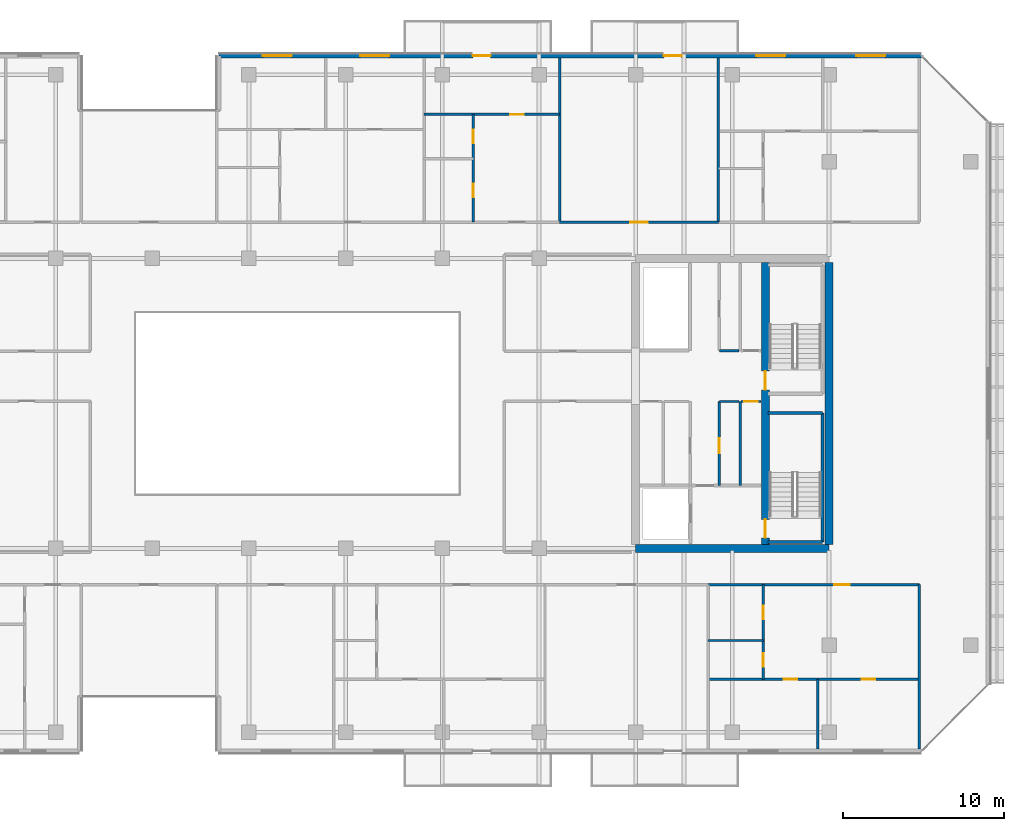
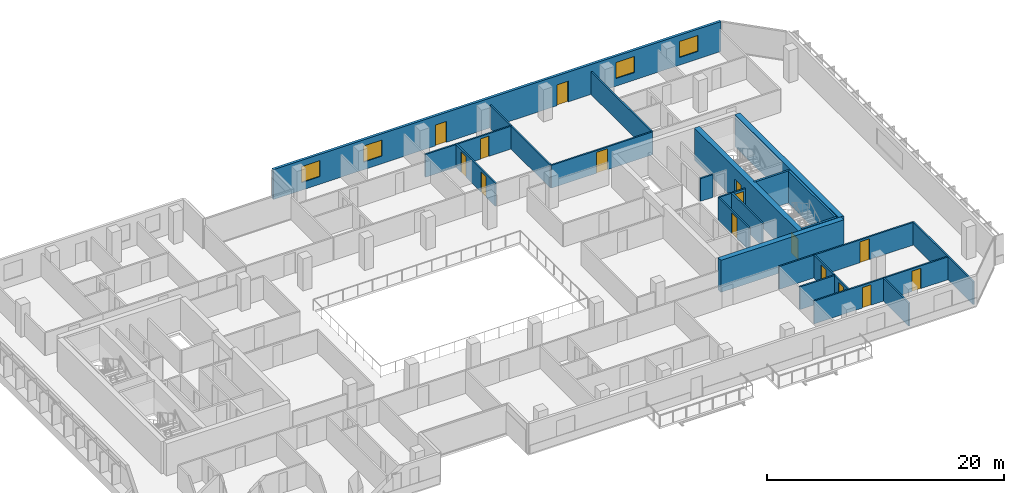
# One storey, part 23 of 29: 23 walls, 15 doors, 4 windows, 19 openings.
"""IFC4 building model written with IfcOpenShell, lengths in metres."""

from ifc_helpers import new_model, si_unit, direction, frame, frame_2d, origin, place, context, subcontext, project, spatial, rectangle, extrude, material, layer, layer_set, type_object, element, fill, save


model = new_model("IFC4")

# Units and contexts
model_context = context("Model", 3, precision=1e-05, world=origin(), true_north=direction((0.0, 1.0)))
body_context = subcontext(model_context, "Body", "Model", "MODEL_VIEW")
ifc_project = project(units=[si_unit("LENGTHUNIT", "METRE"), si_unit("AREAUNIT", "SQUARE_METRE"), si_unit("VOLUMEUNIT", "CUBIC_METRE"), si_unit("PLANEANGLEUNIT", "RADIAN"), si_unit("MASSUNIT", "GRAM", prefix="KILO")], contexts=[model_context])

# Site, building, storey
site_placement = place(None, origin())
site = spatial("IfcSite", under=ifc_project, at=site_placement, CompositionType="ELEMENT")
building_placement = place(site_placement, origin())
building = spatial("IfcBuilding", under=site, at=building_placement, Name="Tanjung Sevakor Pilgrim Tower", CompositionType="ELEMENT")
storey_placement = place(building_placement, frame((0.0, 0.0, 148.5)))
storey = spatial("IfcBuildingStorey", under=building, at=storey_placement, Name="L41", CompositionType="ELEMENT", Elevation=148.5)

# Walls
ifc_material_1 = material(Name="Concrete C60/75", Category="concrete")
ifc_layer_1 = layer(ifc_material_1, 0.5)
ifc_layer_set_1 = layer_set([ifc_layer_1], Name="WALL-CW-500")
wall_type_1 = type_object("IfcWallType", Name="WALL-CW-500", PredefinedType="SHEAR", material=ifc_layer_set_1)
wall_1_placement = place(storey_placement, frame((78.0, 24.60009765625, 0.0), z_axis=(0.0, 0.0, 1.0), x_axis=(1.0, 0.0, 0.0)))
element("IfcWall", 1, at=wall_1_placement, inside=storey, type_object=wall_type_1, Name="L41 E Core South Shear Wall", PredefinedType="SHEAR", context=body_context, shape_type="SweptSolid", body=[
    extrude(rectangle(XDim=12.0, YDim=0.5, at=frame_2d((6.0, 0.0))), origin(), (0.0, 0.0, 1.0), 3.300048828125),
])
wall_2_placement = place(storey_placement, frame((90.0, 24.85009765625, 0.0), z_axis=(0.0, 0.0, 1.0), x_axis=(0.0, 1.0, 0.0)))
element("IfcWall", 2, at=wall_2_placement, inside=storey, type_object=wall_type_1, Name="L41 E Core Outer Shear Wall", PredefinedType="SHEAR", context=body_context, shape_type="SweptSolid", body=[
    extrude(rectangle(XDim=17.5, YDim=0.5, at=frame_2d((8.75, 0.0))), origin(), (0.0, 0.0, 1.0), 3.300048828125),
])

# Wall, openings, doors
wall_3_placement = place(storey_placement, frame((86.050048828125, 24.85009765625, 0.0), z_axis=(0.0, 0.0, 1.0), x_axis=(0.0, 1.0, 0.0)))
wall_3 = element("IfcWall", 3, at=wall_3_placement, inside=storey, type_object=wall_type_1, Name="L41 E Core Stair Spine Wall", PredefinedType="SHEAR", context=body_context, shape_type="SweptSolid", body=[
    extrude(rectangle(XDim=17.5, YDim=0.5, at=frame_2d((8.75, 0.0))), origin(), (0.0, 0.0, 1.0), 3.300048828125),
])
opening_1_placement = place(wall_3_placement, frame((0.39990234375, 0.0, 0.0)))
opening_1 = element("IfcOpeningElement", 4, at=opening_1_placement, cuts=wall_3, Name="Opening ID-ST1", PredefinedType="OPENING", context=body_context, shape_type="SweptSolid", body=[
    extrude(rectangle(XDim=1.14990234375, YDim=2.14990234375, at=frame_2d((0.574951171875, 1.074951171875))), frame((0.0, 0.260009765625, 0.0), z_axis=(0.0, -1.0, 0.0), x_axis=(1.0, 0.0, 0.0)), (0.0, 0.0, 1.0), 0.52001953125),
])
opening_2_placement = place(wall_3_placement, frame((9.60009765625, 0.0, 0.0)))
opening_2 = element("IfcOpeningElement", 5, at=opening_2_placement, cuts=wall_3, Name="Opening ID-ST1", PredefinedType="OPENING", context=body_context, shape_type="SweptSolid", body=[
    extrude(rectangle(XDim=1.14990234375, YDim=2.14990234375, at=frame_2d((0.574951171875, 1.074951171875))), frame((0.0, 0.260009765625, 0.0), z_axis=(0.0, -1.0, 0.0), x_axis=(1.0, 0.0, 0.0)), (0.0, 0.0, 1.0), 0.52001953125),
])
ifc_material_2 = material(Name="Fire-Rated Steel S355J2", Category="steel")
door_type_1 = type_object("IfcDoorType", Name="DT-FIRE-1150", OperationType="NOTDEFINED", PredefinedType="DOOR", material=ifc_material_2)
door_1_placement = place(opening_1_placement, origin())
door_1 = element("IfcDoor", 6, at=door_1_placement, inside=storey, type_object=door_type_1, Name="L41 TS-E1 Stair Fire Door", OperationType="SINGLE_SWING_LEFT", OverallHeight=2.14990234375, OverallWidth=1.14990234375, PredefinedType="DOOR", context=body_context, shape_type="SweptSolid", body=[
    extrude(rectangle(XDim=1.14990234375, YDim=2.14990234375, at=frame_2d((0.574951171875, 1.074951171875))), frame((0.0, 0.02490234375, 0.0), z_axis=(0.0, -1.0, 0.0), x_axis=(1.0, 0.0, 0.0)), (0.0, 0.0, 1.0), 0.050048828125),
])
fill(opening_1, door_1)
door_2_placement = place(opening_2_placement, origin())
door_2 = element("IfcDoor", 7, at=door_2_placement, inside=storey, type_object=door_type_1, Name="L41 TS-E2 Stair Fire Door", OperationType="SINGLE_SWING_RIGHT", OverallHeight=2.14990234375, OverallWidth=1.14990234375, PredefinedType="DOOR", context=body_context, shape_type="SweptSolid", body=[
    extrude(rectangle(XDim=1.14990234375, YDim=2.14990234375, at=frame_2d((0.574951171875, 1.074951171875))), frame((0.0, 0.02490234375, 0.0), z_axis=(0.0, -1.0, 0.0), x_axis=(1.0, 0.0, 0.0)), (0.0, 0.0, 1.0), 0.050048828125),
])
fill(opening_2, door_2)

# Wall
ifc_material_3 = material(Name="Concrete C40/50", Category="concrete")
ifc_layer_2 = layer(ifc_material_3, 0.14990234375)
ifc_layer_set_2 = layer_set([ifc_layer_2], Name="WT-COMP-150")
wall_type_2 = type_object("IfcWallType", Name="WT-COMP-150", PredefinedType="SOLIDWALL", material=ifc_layer_set_2)
wall_4_placement = place(storey_placement, frame((84.47998046875, 28.5, 0.0), z_axis=(0.0, 0.0, 1.0), x_axis=(0.0, 1.0, 0.0)))
element("IfcWall", 8, at=wall_4_placement, inside=storey, type_object=wall_type_2, Name="L41 Partition IW-L41-019", PredefinedType="SOLIDWALL", context=body_context, shape_type="SweptSolid", body=[
    extrude(rectangle(XDim=5.219970703125, YDim=0.14990234375, at=frame_2d((2.60986328125, 0.0))), origin(), (0.0, 0.0, 1.0), 2.35009765625),
])

# Wall, opening, door
wall_5_placement = place(storey_placement, frame((84.550048828125, 33.719970703125, 0.0), z_axis=(0.0, 0.0, 1.0), x_axis=(1.0, 0.0, 0.0)))
wall_5 = element("IfcWall", 9, at=wall_5_placement, inside=storey, type_object=wall_type_2, Name="L41 Partition IW-L41-020", PredefinedType="SOLIDWALL", context=body_context, shape_type="SweptSolid", body=[
    extrude(rectangle(XDim=1.22998046875, YDim=0.14990234375, at=frame_2d((0.614990234375, 0.0))), origin(), (0.0, 0.0, 1.0), 2.35009765625),
])
opening_3_placement = place(wall_5_placement, frame((0.179931640625, 0.0, 0.0)))
opening_3 = element("IfcOpeningElement", 10, at=opening_3_placement, cuts=wall_5, Name="Opening ID-FD3", PredefinedType="OPENING", context=body_context, shape_type="SweptSolid", body=[
    extrude(rectangle(XDim=0.85009765625, YDim=2.10009765625, at=frame_2d((0.425048828125, 1.050048828125))), frame((0.0, 0.0849609375, 0.0), z_axis=(0.0, -1.0, 0.0), x_axis=(1.0, 0.0, 0.0)), (0.0, 0.0, 1.0), 0.169921875),
])
ifc_material_4 = material(Name="Fire-Rated Timber", Category="wood")
door_type_2 = type_object("IfcDoorType", Name="DT-FIRE-850", OperationType="NOTDEFINED", PredefinedType="DOOR", material=ifc_material_4)
door_3_placement = place(opening_3_placement, origin())
door_3 = element("IfcDoor", 11, at=door_3_placement, inside=storey, type_object=door_type_2, Name="L41 Cleaner Store Door", OperationType="SINGLE_SWING_RIGHT", OverallHeight=2.10009765625, OverallWidth=0.85009765625, PredefinedType="DOOR", context=body_context, shape_type="SweptSolid", body=[
    extrude(rectangle(XDim=0.85009765625, YDim=2.10009765625, at=frame_2d((0.425048828125, 1.050048828125))), frame((0.0, 0.02490234375, 0.0), z_axis=(0.0, -1.0, 0.0), x_axis=(1.0, 0.0, 0.0)), (0.0, 0.0, 1.0), 0.050048828125),
])
fill(opening_3, door_3)

# Wall
wall_6_placement = place(storey_placement, frame((83.199951171875, 33.719970703125, 0.0), z_axis=(0.0, 0.0, 1.0), x_axis=(1.0, 0.0, 0.0)))
element("IfcWall", 12, at=wall_6_placement, inside=storey, type_object=wall_type_2, Name="L41 Partition IW-L41-021", PredefinedType="SOLIDWALL", context=body_context, shape_type="SweptSolid", body=[
    extrude(rectangle(XDim=1.219970703125, YDim=0.14990234375, at=frame_2d((0.60986328125, 0.0))), origin(), (0.0, 0.0, 1.0), 2.35009765625),
])

# Wall, opening, door
wall_7_placement = place(storey_placement, frame((83.179931640625, 28.5, 0.0), z_axis=(0.0, 0.0, 1.0), x_axis=(0.0, 1.0, 0.0)))
wall_7 = element("IfcWall", 13, at=wall_7_placement, inside=storey, type_object=wall_type_2, Name="L41 Partition IW-L41-022", PredefinedType="SOLIDWALL", context=body_context, shape_type="SweptSolid", body=[
    extrude(rectangle(XDim=5.219970703125, YDim=0.14990234375, at=frame_2d((2.60986328125, 0.0))), origin(), (0.0, 0.0, 1.0), 2.35009765625),
])
opening_4_placement = place(wall_7_placement, frame((2.0, 0.0, 0.0)))
opening_4 = element("IfcOpeningElement", 14, at=opening_4_placement, cuts=wall_7, Name="Opening ID-FD2", PredefinedType="OPENING", context=body_context, shape_type="SweptSolid", body=[
    extrude(rectangle(XDim=0.949951171875, YDim=2.14990234375, at=frame_2d((0.47509765625, 1.074951171875))), frame((0.0, 0.0849609375, 0.0), z_axis=(0.0, -1.0, 0.0), x_axis=(1.0, 0.0, 0.0)), (0.0, 0.0, 1.0), 0.169921875),
])
ifc_material_5 = material(Name="Fire-Rated Timber", Category="wood")
door_type_3 = type_object("IfcDoorType", Name="DT-FIRE-950", OperationType="NOTDEFINED", PredefinedType="DOOR", material=ifc_material_5)
door_4_placement = place(opening_4_placement, origin())
door_4 = element("IfcDoor", 15, at=door_4_placement, inside=storey, type_object=door_type_3, Name="L41 Housekeeping Pantry Door", OperationType="SINGLE_SWING_LEFT", OverallHeight=2.14990234375, OverallWidth=0.949951171875, PredefinedType="DOOR", context=body_context, shape_type="SweptSolid", body=[
    extrude(rectangle(XDim=0.949951171875, YDim=2.14990234375, at=frame_2d((0.47509765625, 1.074951171875))), frame((0.0, 0.02490234375, 0.0), z_axis=(0.0, -1.0, 0.0), x_axis=(1.0, 0.0, 0.0)), (0.0, 0.0, 1.0), 0.050048828125),
])
fill(opening_4, door_4)

# Walls
wall_8_placement = place(storey_placement, frame((83.199951171875, 36.8798828125, 0.0), z_axis=(0.0, 0.0, 1.0), x_axis=(1.0, 0.0, 0.0)))
element("IfcWall", 16, at=wall_8_placement, inside=storey, type_object=wall_type_2, Name="L41 Partition IW-L41-029", PredefinedType="SOLIDWALL", context=body_context, shape_type="SweptSolid", body=[
    extrude(rectangle(XDim=1.219970703125, YDim=0.14990234375, at=frame_2d((0.60986328125, 0.0))), origin(), (0.0, 0.0, 1.0), 2.35009765625),
])
wall_9_placement = place(storey_placement, frame((95.60009765625, 12.14990234375, 0.0), z_axis=(0.0, 0.0, 1.0), x_axis=(0.0, 1.0, 0.0)))
element("IfcWall", 17, at=wall_9_placement, inside=storey, type_object=wall_type_2, Name="L41 Partition IW-L41-063", PredefinedType="SOLIDWALL", context=body_context, shape_type="SweptSolid", body=[
    extrude(rectangle(XDim=10.2001953125, YDim=0.14990234375, at=frame_2d((5.10009765625, 0.0))), origin(), (0.0, 0.0, 1.0), 2.35009765625),
])

# Wall, opening, door
wall_10_placement = place(storey_placement, frame((82.49658203125, 22.35009765625, 0.0), z_axis=(0.0, 0.0, 1.0), x_axis=(1.0, 0.0, 0.0)))
wall_10 = element("IfcWall", 18, at=wall_10_placement, inside=storey, type_object=wall_type_2, Name="L41 Partition IW-L41-078", PredefinedType="SOLIDWALL", context=body_context, shape_type="SweptSolid", body=[
    extrude(rectangle(XDim=13.103515625, YDim=0.14990234375, at=frame_2d((6.5517578125, 0.0))), origin(), (0.0, 0.0, 1.0), 2.35009765625),
])
opening_5_placement = place(wall_10_placement, frame((7.82861328125, 0.0, 0.0)))
opening_5 = element("IfcOpeningElement", 19, at=opening_5_placement, cuts=wall_10, Name="Opening ID-FD2", PredefinedType="OPENING", context=body_context, shape_type="SweptSolid", body=[
    extrude(rectangle(XDim=0.949951171875, YDim=2.14990234375, at=frame_2d((0.47509765625, 1.074951171875))), frame((0.0, 0.0849609375, 0.0), z_axis=(0.0, -1.0, 0.0), x_axis=(1.0, 0.0, 0.0)), (0.0, 0.0, 1.0), 0.169921875),
])
door_5_placement = place(opening_5_placement, origin())
door_5 = element("IfcDoor", 20, at=door_5_placement, inside=storey, type_object=door_type_3, Name="Suite Entrance", OperationType="SINGLE_SWING_RIGHT", OverallHeight=2.14990234375, OverallWidth=0.949951171875, PredefinedType="DOOR", context=body_context, shape_type="SweptSolid", body=[
    extrude(rectangle(XDim=0.949951171875, YDim=2.14990234375, at=frame_2d((0.47509765625, 1.074951171875))), frame((0.0, 0.02490234375, 0.0), z_axis=(0.0, -1.0, 0.0), x_axis=(1.0, 0.0, 0.0)), (0.0, 0.0, 1.0), 0.050048828125),
])
fill(opening_5, door_5)

# Walls
for number, where, z_axis, x_axis, name in (
    (21, (73.2802734375, 44.85009765625, 0.0), (0.0, 0.0, 1.0), (0.0, 1.0, 0.0), "L41 Partition IW-L41-096"),
    (22, (83.1357421875, 44.85009765625, 0.0), (0.0, 0.0, 1.0), (0.0, 1.0, 0.0), "L41 Partition IW-L41-101"),
):
    element("IfcWall", number, at=place(storey_placement, frame(where, z_axis=z_axis, x_axis=x_axis)), inside=storey, type_object=wall_type_2, Name=name, PredefinedType="SOLIDWALL", context=body_context, shape_type="SweptSolid", body=[
        extrude(rectangle(XDim=10.199951171875, YDim=0.14990234375, at=frame_2d((5.10009765625, 0.0))), origin(), (0.0, 0.0, 1.0), 2.35009765625),
    ])

# Wall, opening, door
wall_11_placement = place(storey_placement, frame((73.2802734375, 44.85009765625, 0.0), z_axis=(0.0, 0.0, 1.0), x_axis=(1.0, 0.0, 0.0)))
wall_11 = element("IfcWall", 23, at=wall_11_placement, inside=storey, type_object=wall_type_2, Name="L41 Partition IW-L41-102", PredefinedType="SOLIDWALL", context=body_context, shape_type="SweptSolid", body=[
    extrude(rectangle(XDim=9.85546875, YDim=0.14990234375, at=frame_2d((4.927734375, 0.0))), origin(), (0.0, 0.0, 1.0), 2.35009765625),
])
opening_6_placement = place(wall_11_placement, frame((4.377685546875, 0.0, 0.0)))
opening_6 = element("IfcOpeningElement", 24, at=opening_6_placement, cuts=wall_11, Name="Opening ID-FD0", PredefinedType="OPENING", context=body_context, shape_type="SweptSolid", body=[
    extrude(rectangle(XDim=1.10009765625, YDim=2.14990234375, at=frame_2d((0.550048828125, 1.074951171875))), frame((0.0, 0.0849609375, 0.0), z_axis=(0.0, -1.0, 0.0), x_axis=(1.0, 0.0, 0.0)), (0.0, 0.0, 1.0), 0.169921875),
])
ifc_material_6 = material(Name="Fire-Rated Steel S355J2", Category="steel")
door_type_4 = type_object("IfcDoorType", Name="DT-FIRE-1100", OperationType="NOTDEFINED", PredefinedType="DOOR", material=ifc_material_6)
door_6_placement = place(opening_6_placement, origin())
door_6 = element("IfcDoor", 25, at=door_6_placement, inside=storey, type_object=door_type_4, Name="Council Room Door", OperationType="SINGLE_SWING_LEFT", OverallHeight=2.14990234375, OverallWidth=1.10009765625, PredefinedType="DOOR", context=body_context, shape_type="SweptSolid", body=[
    extrude(rectangle(XDim=1.10009765625, YDim=2.14990234375, at=frame_2d((0.550048828125, 1.074951171875))), frame((0.0, 0.02490234375, 0.0), z_axis=(0.0, -1.0, 0.0), x_axis=(1.0, 0.0, 0.0)), (0.0, 0.0, 1.0), 0.050048828125),
])
fill(opening_6, door_6)

# Wall, openings, doors, windows
ifc_material_7 = material(Name="Precast concrete C45/55", Category="concrete")
ifc_layer_3 = layer(ifc_material_7, 0.25)
ifc_layer_set_3 = layer_set([ifc_layer_3], Name="WT-EW-STN3")
wall_type_3 = type_object("IfcWallType", Name="WT-EW-STN3", PredefinedType="SOLIDWALL", material=ifc_layer_set_3)
wall_12_placement = place(storey_placement, frame((95.748291015625, 55.175048828125, 0.0), z_axis=(0.0, 0.0, 1.0), x_axis=(-1.0, 0.0, 0.0)))
wall_12 = element("IfcWall", 26, at=wall_12_placement, inside=storey, type_object=wall_type_3, Name="L41 MAIN Exterior Wall 9", PredefinedType="SOLIDWALL", context=body_context, shape_type="SweptSolid", body=[
    extrude(rectangle(XDim=43.623291015625, YDim=0.25, at=frame_2d((21.8115234375, 0.0))), origin(), (0.0, 0.0, 1.0), 3.080078125),
])
opening_7_placement = place(wall_12_placement, frame((26.748291015625, 0.0, 0.0)))
opening_7 = element("IfcOpeningElement", 27, at=opening_7_placement, cuts=wall_12, Name="Opening ED-BAL-1100", PredefinedType="OPENING", context=body_context, shape_type="SweptSolid", body=[
    extrude(rectangle(XDim=1.10009765625, YDim=2.14990234375, at=frame_2d((0.550048828125, 1.074951171875))), frame((0.0, 0.135009765625, 0.0), z_axis=(0.0, -1.0, 0.0), x_axis=(1.0, 0.0, 0.0)), (0.0, 0.0, 1.0), 0.27001953125),
])
opening_8_placement = place(wall_12_placement, frame((14.898193359375, 0.0, 0.0)))
opening_8 = element("IfcOpeningElement", 28, at=opening_8_placement, cuts=wall_12, Name="Opening ED-BAL-1100", PredefinedType="OPENING", context=body_context, shape_type="SweptSolid", body=[
    extrude(rectangle(XDim=1.10009765625, YDim=2.14990234375, at=frame_2d((0.550048828125, 1.074951171875))), frame((0.0, 0.135009765625, 0.0), z_axis=(0.0, -1.0, 0.0), x_axis=(1.0, 0.0, 0.0)), (0.0, 0.0, 1.0), 0.27001953125),
])
opening_9_placement = place(wall_12_placement, frame((39.08203125, 0.0, 0.780029296875)))
opening_9 = element("IfcOpeningElement", 29, at=opening_9_placement, cuts=wall_12, Name="Opening WN-Z3-1660", PredefinedType="OPENING", context=body_context, shape_type="SweptSolid", body=[
    extrude(rectangle(XDim=1.800048828125, YDim=1.659912109375, at=frame_2d((0.89990234375, 0.830078125))), frame((0.0, 0.135009765625, 0.0), z_axis=(0.0, -1.0, 0.0), x_axis=(1.0, 0.0, 0.0)), (0.0, 0.0, 1.0), 0.27001953125),
])
opening_10_placement = place(wall_12_placement, frame((33.045166015625, 0.0, 0.780029296875)))
opening_10 = element("IfcOpeningElement", 30, at=opening_10_placement, cuts=wall_12, Name="Opening WN-Z3-1660", PredefinedType="OPENING", context=body_context, shape_type="SweptSolid", body=[
    extrude(rectangle(XDim=1.800048828125, YDim=1.659912109375, at=frame_2d((0.89990234375, 0.830078125))), frame((0.0, 0.135009765625, 0.0), z_axis=(0.0, -1.0, 0.0), x_axis=(1.0, 0.0, 0.0)), (0.0, 0.0, 1.0), 0.27001953125),
])
opening_11_placement = place(wall_12_placement, frame((8.4619140625, 0.0, 0.780029296875)))
opening_11 = element("IfcOpeningElement", 31, at=opening_11_placement, cuts=wall_12, Name="Opening WN-Z3-1660", PredefinedType="OPENING", context=body_context, shape_type="SweptSolid", body=[
    extrude(rectangle(XDim=1.800048828125, YDim=1.659912109375, at=frame_2d((0.89990234375, 0.830078125))), frame((0.0, 0.135009765625, 0.0), z_axis=(0.0, -1.0, 0.0), x_axis=(1.0, 0.0, 0.0)), (0.0, 0.0, 1.0), 0.27001953125),
])
opening_12_placement = place(wall_12_placement, frame((2.249755859375, 0.0, 0.780029296875)))
opening_12 = element("IfcOpeningElement", 32, at=opening_12_placement, cuts=wall_12, Name="Opening WN-Z3-1660", PredefinedType="OPENING", context=body_context, shape_type="SweptSolid", body=[
    extrude(rectangle(XDim=1.800048828125, YDim=1.659912109375, at=frame_2d((0.89990234375, 0.830078125))), frame((0.0, 0.135009765625, 0.0), z_axis=(0.0, -1.0, 0.0), x_axis=(1.0, 0.0, 0.0)), (0.0, 0.0, 1.0), 0.27001953125),
])
ifc_material_8 = material(Name="Anodised Aluminium and Laminated Glass", Category="aluminium")
door_type_5 = type_object("IfcDoorType", Name="DTYP-ED-BAL-1100", OperationType="NOTDEFINED", PredefinedType="DOOR", material=ifc_material_8)
door_7_placement = place(opening_7_placement, frame((1.10009765625, 0.0, 0.0), z_axis=(0.0, 0.0, 1.0), x_axis=(-1.0, 0.0, 0.0)))
door_7 = element("IfcDoor", 33, at=door_7_placement, inside=storey, type_object=door_type_5, Name="L41 Balcony Door MAIN-N2", OperationType="SINGLE_SWING_LEFT", OverallHeight=2.14990234375, OverallWidth=1.10009765625, PredefinedType="DOOR", context=body_context, shape_type="SweptSolid", body=[
    extrude(rectangle(XDim=1.10009765625, YDim=2.14990234375, at=frame_2d((0.550048828125, 1.074951171875))), frame((0.0, 0.02490234375, 0.0), z_axis=(0.0, -1.0, 0.0), x_axis=(1.0, 0.0, 0.0)), (0.0, 0.0, 1.0), 0.050048828125),
])
fill(opening_7, door_7)
door_8_placement = place(opening_8_placement, frame((1.10009765625, 0.0, 0.0), z_axis=(0.0, 0.0, 1.0), x_axis=(-1.0, 0.0, 0.0)))
door_8 = element("IfcDoor", 34, at=door_8_placement, inside=storey, type_object=door_type_5, Name="L41 Balcony Door MAIN-N3", OperationType="SINGLE_SWING_RIGHT", OverallHeight=2.14990234375, OverallWidth=1.10009765625, PredefinedType="DOOR", context=body_context, shape_type="SweptSolid", body=[
    extrude(rectangle(XDim=1.10009765625, YDim=2.14990234375, at=frame_2d((0.550048828125, 1.074951171875))), frame((0.0, 0.02490234375, 0.0), z_axis=(0.0, -1.0, 0.0), x_axis=(1.0, 0.0, 0.0)), (0.0, 0.0, 1.0), 0.050048828125),
])
fill(opening_8, door_8)
ifc_material_9 = material(Name="Thermally Broken Aluminium and Low-E Glass", Category="aluminium")
window_type = type_object("IfcWindowType", Name="WTYP-WN-Z3-1660", PartitioningType="DOUBLE_PANEL_VERTICAL", PredefinedType="WINDOW", material=ifc_material_9)
window_1_placement = place(opening_9_placement, origin())
window_1 = element("IfcWindow", 35, at=window_1_placement, inside=storey, type_object=window_type, Name="L41 Facade Window 01", OverallHeight=1.659912109375, OverallWidth=1.800048828125, PartitioningType="SINGLE_PANEL", PredefinedType="WINDOW", context=body_context, shape_type="SweptSolid", body=[
    extrude(rectangle(XDim=1.800048828125, YDim=1.659912109375, at=frame_2d((0.89990234375, 0.830078125))), frame((0.0, 0.030029296875, 0.0), z_axis=(0.0, -1.0, 0.0), x_axis=(1.0, 0.0, 0.0)), (0.0, 0.0, 1.0), 0.06005859375),
])
fill(opening_9, window_1)
window_2_placement = place(opening_10_placement, origin())
window_2 = element("IfcWindow", 36, at=window_2_placement, inside=storey, type_object=window_type, Name="L41 Facade Window 02", OverallHeight=1.659912109375, OverallWidth=1.800048828125, PartitioningType="SINGLE_PANEL", PredefinedType="WINDOW", context=body_context, shape_type="SweptSolid", body=[
    extrude(rectangle(XDim=1.800048828125, YDim=1.659912109375, at=frame_2d((0.89990234375, 0.830078125))), frame((0.0, 0.030029296875, 0.0), z_axis=(0.0, -1.0, 0.0), x_axis=(1.0, 0.0, 0.0)), (0.0, 0.0, 1.0), 0.06005859375),
])
fill(opening_10, window_2)
window_3_placement = place(opening_11_placement, origin())
window_3 = element("IfcWindow", 37, at=window_3_placement, inside=storey, type_object=window_type, Name="L41 Facade Window 03", OverallHeight=1.659912109375, OverallWidth=1.800048828125, PartitioningType="SINGLE_PANEL", PredefinedType="WINDOW", context=body_context, shape_type="SweptSolid", body=[
    extrude(rectangle(XDim=1.800048828125, YDim=1.659912109375, at=frame_2d((0.89990234375, 0.830078125))), frame((0.0, 0.030029296875, 0.0), z_axis=(0.0, -1.0, 0.0), x_axis=(1.0, 0.0, 0.0)), (0.0, 0.0, 1.0), 0.06005859375),
])
fill(opening_11, window_3)
window_4_placement = place(opening_12_placement, origin())
window_4 = element("IfcWindow", 38, at=window_4_placement, inside=storey, type_object=window_type, Name="L41 Facade Window 04", OverallHeight=1.659912109375, OverallWidth=1.800048828125, PartitioningType="SINGLE_PANEL", PredefinedType="WINDOW", context=body_context, shape_type="SweptSolid", body=[
    extrude(rectangle(XDim=1.800048828125, YDim=1.659912109375, at=frame_2d((0.89990234375, 0.830078125))), frame((0.0, 0.030029296875, 0.0), z_axis=(0.0, -1.0, 0.0), x_axis=(1.0, 0.0, 0.0)), (0.0, 0.0, 1.0), 0.06005859375),
])
fill(opening_12, window_4)

# Walls
ifc_material_10 = material(Name="Concrete C40/50", Category="concrete")
ifc_layer_4 = layer(ifc_material_10, 0.199951171875)
ifc_layer_set_4 = layer_set([ifc_layer_4], Name="WT-FIRE-200")
wall_type_4 = type_object("IfcWallType", Name="WT-FIRE-200", PredefinedType="SOLIDWALL", material=ifc_layer_set_4)
wall_13_placement = place(storey_placement, frame((86.199951171875, 25.0, 0.0), z_axis=(0.0, 0.0, 1.0), x_axis=(1.0, 0.0, 0.0)))
element("IfcWall", 39, at=wall_13_placement, inside=storey, type_object=wall_type_4, Name="L41 TS-E1 Shaft Wall 1", PredefinedType="SOLIDWALL", context=body_context, shape_type="SweptSolid", body=[
    extrude(rectangle(XDim=3.400146484375, YDim=0.199951171875, at=frame_2d((1.7001953125, 0.0))), origin(), (0.0, 0.0, 1.0), 3.300048828125),
])
wall_14_placement = place(storey_placement, frame((89.60009765625, 25.0, 0.0), z_axis=(0.0, 0.0, 1.0), x_axis=(0.0, 1.0, 0.0)))
element("IfcWall", 40, at=wall_14_placement, inside=storey, type_object=wall_type_4, Name="L41 TS-E1 Shaft Wall 2", PredefinedType="SOLIDWALL", context=body_context, shape_type="SweptSolid", body=[
    extrude(rectangle(XDim=8.0, YDim=0.199951171875, at=frame_2d((4.0, 0.0))), origin(), (0.0, 0.0, 1.0), 3.300048828125),
])
wall_15_placement = place(storey_placement, frame((89.60009765625, 33.0, 0.0), z_axis=(0.0, 0.0, 1.0), x_axis=(-1.0, 0.0, 0.0)))
element("IfcWall", 41, at=wall_15_placement, inside=storey, type_object=wall_type_4, Name="L41 TS-E1 Shaft Wall 3", PredefinedType="SOLIDWALL", context=body_context, shape_type="SweptSolid", body=[
    extrude(rectangle(XDim=3.400146484375, YDim=0.199951171875, at=frame_2d((1.7001953125, 0.0))), origin(), (0.0, 0.0, 1.0), 3.300048828125),
])
ifc_material_11 = material(Name="Gypsum Board Partition", Category="gypsum board")
ifc_layer_5 = layer(ifc_material_11, 0.14990234375)
ifc_layer_set_5 = layer_set([ifc_layer_5], Name="WT-PART-150")
wall_type_5 = type_object("IfcWallType", Name="WT-PART-150", PredefinedType="PARTITIONING", material=ifc_layer_set_5)
wall_16_placement = place(storey_placement, frame((82.49658203125, 18.88623046875, 0.0), z_axis=(0.0, 0.0, 1.0), x_axis=(1.0, 0.0, 0.0)))
element("IfcWall", 42, at=wall_16_placement, inside=storey, type_object=wall_type_5, Name="L41 Partition IW-L41-074", PredefinedType="PARTITIONING", context=body_context, shape_type="SweptSolid", body=[
    extrude(rectangle(XDim=3.42333984375, YDim=0.14990234375, at=frame_2d((1.711669921875, 0.0))), origin(), (0.0, 0.0, 1.0), 2.35009765625),
])

# Wall, openings, doors
wall_17_placement = place(storey_placement, frame((85.919921875, 16.4794921875, 0.0), z_axis=(0.0, 0.0, 1.0), x_axis=(0.0, 1.0, 0.0)))
wall_17 = element("IfcWall", 43, at=wall_17_placement, inside=storey, type_object=wall_type_5, Name="L41 Partition IW-L41-075", PredefinedType="PARTITIONING", context=body_context, shape_type="SweptSolid", body=[
    extrude(rectangle(XDim=5.87060546875, YDim=0.14990234375, at=frame_2d((2.935302734375, 0.0))), origin(), (0.0, 0.0, 1.0), 2.35009765625),
])
opening_13_placement = place(wall_17_placement, frame((0.778564453125, 0.0, 0.0)))
opening_13 = element("IfcOpeningElement", 44, at=opening_13_placement, cuts=wall_17, Name="Opening ID-WC1", PredefinedType="OPENING", context=body_context, shape_type="SweptSolid", body=[
    extrude(rectangle(XDim=0.85009765625, YDim=2.10009765625, at=frame_2d((0.425048828125, 1.050048828125))), frame((0.0, 0.0849609375, 0.0), z_axis=(0.0, -1.0, 0.0), x_axis=(1.0, 0.0, 0.0)), (0.0, 0.0, 1.0), 0.169921875),
])
opening_14_placement = place(wall_17_placement, frame((3.7138671875, 0.0, 0.0)))
opening_14 = element("IfcOpeningElement", 45, at=opening_14_placement, cuts=wall_17, Name="Opening ID-WC1", PredefinedType="OPENING", context=body_context, shape_type="SweptSolid", body=[
    extrude(rectangle(XDim=0.85009765625, YDim=2.10009765625, at=frame_2d((0.425048828125, 1.050048828125))), frame((0.0, 0.0849609375, 0.0), z_axis=(0.0, -1.0, 0.0), x_axis=(1.0, 0.0, 0.0)), (0.0, 0.0, 1.0), 0.169921875),
])
ifc_material_12 = material(Name="Moisture-Resistant Timber", Category="wood")
door_type_6 = type_object("IfcDoorType", Name="DT-INT-850", OperationType="NOTDEFINED", PredefinedType="DOOR", material=ifc_material_12)
door_9_placement = place(opening_13_placement, origin())
door_9 = element("IfcDoor", 46, at=door_9_placement, inside=storey, type_object=door_type_6, Name="Suite Bathroom Door", OperationType="SINGLE_SWING_RIGHT", OverallHeight=2.10009765625, OverallWidth=0.85009765625, PredefinedType="DOOR", context=body_context, shape_type="SweptSolid", body=[
    extrude(rectangle(XDim=0.85009765625, YDim=2.10009765625, at=frame_2d((0.425048828125, 1.050048828125))), frame((0.0, 0.02490234375, 0.0), z_axis=(0.0, -1.0, 0.0), x_axis=(1.0, 0.0, 0.0)), (0.0, 0.0, 1.0), 0.050048828125),
])
fill(opening_13, door_9)
door_10_placement = place(opening_14_placement, origin())
door_10 = element("IfcDoor", 47, at=door_10_placement, inside=storey, type_object=door_type_6, Name="Suite Kitchenette Door", OperationType="SINGLE_SWING_LEFT", OverallHeight=2.10009765625, OverallWidth=0.85009765625, PredefinedType="DOOR", context=body_context, shape_type="SweptSolid", body=[
    extrude(rectangle(XDim=0.85009765625, YDim=2.10009765625, at=frame_2d((0.425048828125, 1.050048828125))), frame((0.0, 0.02490234375, 0.0), z_axis=(0.0, -1.0, 0.0), x_axis=(1.0, 0.0, 0.0)), (0.0, 0.0, 1.0), 0.050048828125),
])
fill(opening_14, door_10)

# Wall
wall_18_placement = place(storey_placement, frame((89.310302734375, 12.14990234375, 0.0), z_axis=(0.0, 0.0, 1.0), x_axis=(0.0, 1.0, 0.0)))
element("IfcWall", 48, at=wall_18_placement, inside=storey, type_object=wall_type_5, Name="L41 Partition IW-L41-076", PredefinedType="PARTITIONING", context=body_context, shape_type="SweptSolid", body=[
    extrude(rectangle(XDim=4.32958984375, YDim=0.14990234375, at=frame_2d((2.164794921875, 0.0))), origin(), (0.0, 0.0, 1.0), 2.35009765625),
])

# Wall, openings, doors
wall_19_placement = place(storey_placement, frame((82.49658203125, 16.4794921875, 0.0), z_axis=(0.0, 0.0, 1.0), x_axis=(1.0, 0.0, 0.0)))
wall_19 = element("IfcWall", 49, at=wall_19_placement, inside=storey, type_object=wall_type_5, Name="L41 Partition IW-L41-077", PredefinedType="PARTITIONING", context=body_context, shape_type="SweptSolid", body=[
    extrude(rectangle(XDim=13.103515625, YDim=0.14990234375, at=frame_2d((6.5517578125, 0.0))), origin(), (0.0, 0.0, 1.0), 2.35009765625),
])
opening_15_placement = place(wall_19_placement, frame((4.693603515625, 0.0, 0.0)))
opening_15 = element("IfcOpeningElement", 50, at=opening_15_placement, cuts=wall_19, Name="Opening ID-WC1", PredefinedType="OPENING", context=body_context, shape_type="SweptSolid", body=[
    extrude(rectangle(XDim=0.85009765625, YDim=2.10009765625, at=frame_2d((0.425048828125, 1.050048828125))), frame((0.0, 0.0849609375, 0.0), z_axis=(0.0, -1.0, 0.0), x_axis=(1.0, 0.0, 0.0)), (0.0, 0.0, 1.0), 0.169921875),
])
opening_16_placement = place(wall_19_placement, frame((9.53369140625, 0.0, 0.0)))
opening_16 = element("IfcOpeningElement", 51, at=opening_16_placement, cuts=wall_19, Name="Opening ID-WC1", PredefinedType="OPENING", context=body_context, shape_type="SweptSolid", body=[
    extrude(rectangle(XDim=0.85009765625, YDim=2.10009765625, at=frame_2d((0.425048828125, 1.050048828125))), frame((0.0, 0.0849609375, 0.0), z_axis=(0.0, -1.0, 0.0), x_axis=(1.0, 0.0, 0.0)), (0.0, 0.0, 1.0), 0.169921875),
])
door_11_placement = place(opening_15_placement, origin())
door_11 = element("IfcDoor", 52, at=door_11_placement, inside=storey, type_object=door_type_6, Name="Suite Bedroom 1 Door", OperationType="SINGLE_SWING_RIGHT", OverallHeight=2.10009765625, OverallWidth=0.85009765625, PredefinedType="DOOR", context=body_context, shape_type="SweptSolid", body=[
    extrude(rectangle(XDim=0.85009765625, YDim=2.10009765625, at=frame_2d((0.425048828125, 1.050048828125))), frame((0.0, 0.02490234375, 0.0), z_axis=(0.0, -1.0, 0.0), x_axis=(1.0, 0.0, 0.0)), (0.0, 0.0, 1.0), 0.050048828125),
])
fill(opening_15, door_11)
door_12_placement = place(opening_16_placement, origin())
door_12 = element("IfcDoor", 53, at=door_12_placement, inside=storey, type_object=door_type_6, Name="Suite Bedroom 2 Door", OperationType="SINGLE_SWING_LEFT", OverallHeight=2.10009765625, OverallWidth=0.85009765625, PredefinedType="DOOR", context=body_context, shape_type="SweptSolid", body=[
    extrude(rectangle(XDim=0.85009765625, YDim=2.10009765625, at=frame_2d((0.425048828125, 1.050048828125))), frame((0.0, 0.02490234375, 0.0), z_axis=(0.0, -1.0, 0.0), x_axis=(1.0, 0.0, 0.0)), (0.0, 0.0, 1.0), 0.050048828125),
])
fill(opening_16, door_12)

wall_20_placement = place(storey_placement, frame((67.919921875, 44.85009765625, 0.0), z_axis=(0.0, 0.0, 1.0), x_axis=(0.0, 1.0, 0.0)))
wall_20 = element("IfcWall", 54, at=wall_20_placement, inside=storey, type_object=wall_type_5, Name="L41 Partition IW-L41-098", PredefinedType="PARTITIONING", context=body_context, shape_type="SweptSolid", body=[
    extrude(rectangle(XDim=6.6904296875, YDim=0.14990234375, at=frame_2d((3.34521484375, 0.0))), origin(), (0.0, 0.0, 1.0), 2.35009765625),
])
opening_17_placement = place(wall_20_placement, frame((1.548583984375, 0.0, 0.0)))
opening_17 = element("IfcOpeningElement", 55, at=opening_17_placement, cuts=wall_20, Name="Opening ID-WC1", PredefinedType="OPENING", context=body_context, shape_type="SweptSolid", body=[
    extrude(rectangle(XDim=0.85009765625, YDim=2.10009765625, at=frame_2d((0.425048828125, 1.050048828125))), frame((0.0, 0.0849609375, 0.0), z_axis=(0.0, -1.0, 0.0), x_axis=(1.0, 0.0, 0.0)), (0.0, 0.0, 1.0), 0.169921875),
])
opening_18_placement = place(wall_20_placement, frame((4.89404296875, 0.0, 0.0)))
opening_18 = element("IfcOpeningElement", 56, at=opening_18_placement, cuts=wall_20, Name="Opening ID-WC1", PredefinedType="OPENING", context=body_context, shape_type="SweptSolid", body=[
    extrude(rectangle(XDim=0.85009765625, YDim=2.10009765625, at=frame_2d((0.425048828125, 1.050048828125))), frame((0.0, 0.0849609375, 0.0), z_axis=(0.0, -1.0, 0.0), x_axis=(1.0, 0.0, 0.0)), (0.0, 0.0, 1.0), 0.169921875),
])
door_13_placement = place(opening_17_placement, origin())
door_13 = element("IfcDoor", 57, at=door_13_placement, inside=storey, type_object=door_type_6, Name="Residence Kitchenette Door", OperationType="SINGLE_SWING_LEFT", OverallHeight=2.10009765625, OverallWidth=0.85009765625, PredefinedType="DOOR", context=body_context, shape_type="SweptSolid", body=[
    extrude(rectangle(XDim=0.85009765625, YDim=2.10009765625, at=frame_2d((0.425048828125, 1.050048828125))), frame((0.0, 0.02490234375, 0.0), z_axis=(0.0, -1.0, 0.0), x_axis=(1.0, 0.0, 0.0)), (0.0, 0.0, 1.0), 0.050048828125),
])
fill(opening_17, door_13)
door_14_placement = place(opening_18_placement, origin())
door_14 = element("IfcDoor", 58, at=door_14_placement, inside=storey, type_object=door_type_6, Name="Residence Bathroom Door", OperationType="SINGLE_SWING_RIGHT", OverallHeight=2.10009765625, OverallWidth=0.85009765625, PredefinedType="DOOR", context=body_context, shape_type="SweptSolid", body=[
    extrude(rectangle(XDim=0.85009765625, YDim=2.10009765625, at=frame_2d((0.425048828125, 1.050048828125))), frame((0.0, 0.02490234375, 0.0), z_axis=(0.0, -1.0, 0.0), x_axis=(1.0, 0.0, 0.0)), (0.0, 0.0, 1.0), 0.050048828125),
])
fill(opening_18, door_14)

# Wall, opening, door
wall_21_placement = place(storey_placement, frame((64.8740234375, 51.54052734375, 0.0), z_axis=(0.0, 0.0, 1.0), x_axis=(1.0, 0.0, 0.0)))
wall_21 = element("IfcWall", 59, at=wall_21_placement, inside=storey, type_object=wall_type_5, Name="L41 Partition IW-L41-099", PredefinedType="PARTITIONING", context=body_context, shape_type="SweptSolid", body=[
    extrude(rectangle(XDim=8.40625, YDim=0.14990234375, at=frame_2d((4.203125, 0.0))), origin(), (0.0, 0.0, 1.0), 2.35009765625),
])
opening_19_placement = place(wall_21_placement, frame((5.341064453125, 0.0, 0.0)))
opening_19 = element("IfcOpeningElement", 60, at=opening_19_placement, cuts=wall_21, Name="Opening ID-WC1", PredefinedType="OPENING", context=body_context, shape_type="SweptSolid", body=[
    extrude(rectangle(XDim=0.85009765625, YDim=2.10009765625, at=frame_2d((0.425048828125, 1.050048828125))), frame((0.0, 0.0849609375, 0.0), z_axis=(0.0, -1.0, 0.0), x_axis=(1.0, 0.0, 0.0)), (0.0, 0.0, 1.0), 0.169921875),
])
door_15_placement = place(opening_19_placement, origin())
door_15 = element("IfcDoor", 61, at=door_15_placement, inside=storey, type_object=door_type_6, Name="Residence Bedroom Door", OperationType="SINGLE_SWING_LEFT", OverallHeight=2.10009765625, OverallWidth=0.85009765625, PredefinedType="DOOR", context=body_context, shape_type="SweptSolid", body=[
    extrude(rectangle(XDim=0.85009765625, YDim=2.10009765625, at=frame_2d((0.425048828125, 1.050048828125))), frame((0.0, 0.02490234375, 0.0), z_axis=(0.0, -1.0, 0.0), x_axis=(1.0, 0.0, 0.0)), (0.0, 0.0, 1.0), 0.050048828125),
])
fill(opening_19, door_15)

save(model, "model.ifc")
